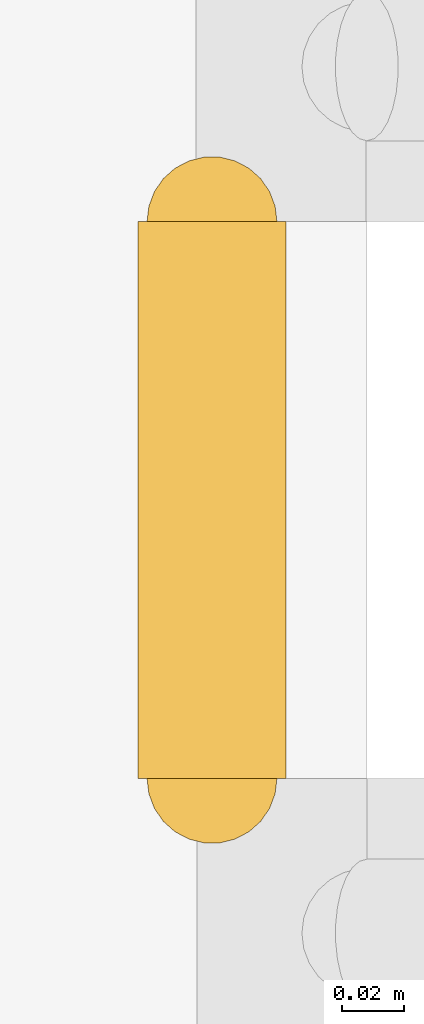
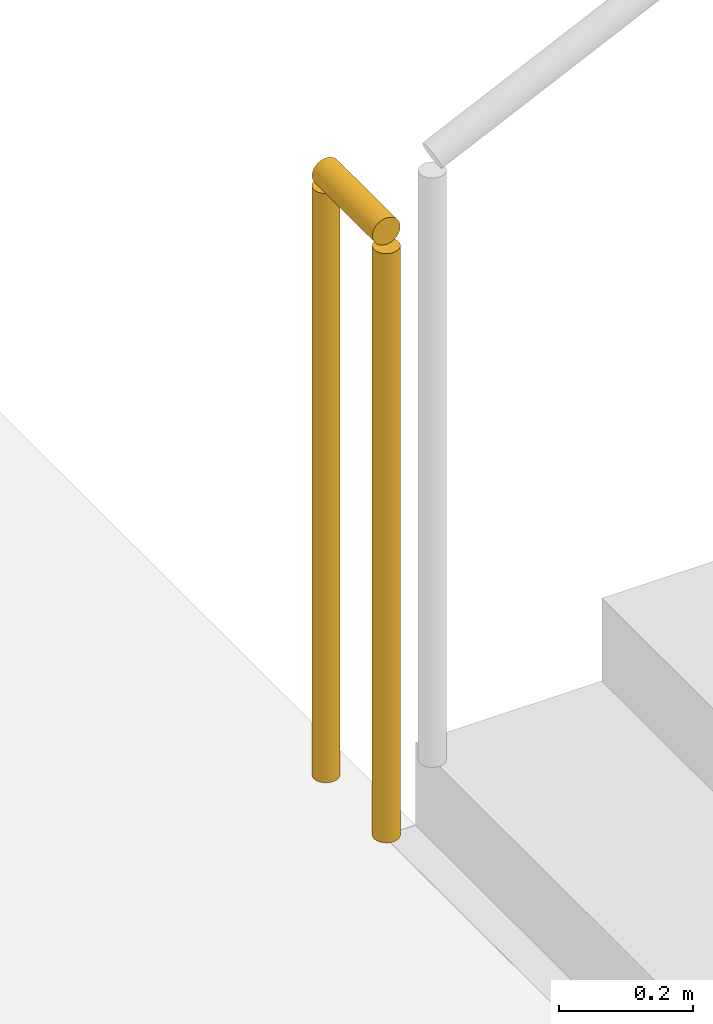
# One storey, part 66 of 69: 1 railing.
"""IFC4 building model written with IfcOpenShell, lengths in metres."""

from ifc_helpers import new_model, si_unit, direction, frame, origin, origin_2d, place, context, subcontext, project, spatial, circle, extrude, material, type_object, element, save


model = new_model("IFC4")

# Units and contexts
model_context = context("Model", 3, precision=1e-05, world=origin(), true_north=direction((0.0, 1.0)))
body_context = subcontext(model_context, "Body", "Model", "MODEL_VIEW")
ifc_project = project(units=[si_unit("LENGTHUNIT", "METRE"), si_unit("AREAUNIT", "SQUARE_METRE"), si_unit("VOLUMEUNIT", "CUBIC_METRE"), si_unit("PLANEANGLEUNIT", "RADIAN"), si_unit("MASSUNIT", "GRAM", prefix="KILO")], contexts=[model_context])

# Site, building, storey
site_placement = place(None, origin())
site = spatial("IfcSite", under=ifc_project, at=site_placement, CompositionType="ELEMENT")
building_placement = place(site_placement, origin())
building = spatial("IfcBuilding", under=site, at=building_placement, Name="Qamarlyn Nura Convention Centre", CompositionType="ELEMENT")
storey_placement = place(building_placement, frame((0.0, 0.0, 15.60009765625)))
storey = spatial("IfcBuildingStorey", under=building, at=storey_placement, Name="L03", CompositionType="ELEMENT", Elevation=15.60009765625)

# Railing
ifc_material = material(Name="Marine Grade 316 stainless steel", Category="steel")
railing_type = type_object("IfcRailingType", Name="GRD-STAIR-112", PredefinedType="BALUSTRADE", material=ifc_material)
railing_placement = place(storey_placement, frame((177.81005859375, 85.31005859375, 0.0)))
element("IfcRailing", 1, at=railing_placement, inside=storey, type_object=railing_type, Name="L03 ST-17 stair guard 4", PredefinedType="BALUSTRADE", context=body_context, shape_type="SweptSolid", body=[
    extrude(circle(Radius=0.02392578125, at=origin_2d()), frame((0.0, 0.0, 1.09619140625), z_axis=(0.0, 1.0, 0.0), x_axis=(-1.0, 0.0, 0.0)), (0.0, 0.0, 1.0), 0.179931640625),
    extrude(circle(Radius=0.02099609375, at=origin_2d()), origin(), (0.0, 0.0, 1.0), 1.070068359375),
    extrude(circle(Radius=0.02099609375, at=origin_2d()), frame((0.0, 0.179931640625, 0.0)), (0.0, 0.0, 1.0), 1.070068359375),
])

save(model, "model.ifc")
